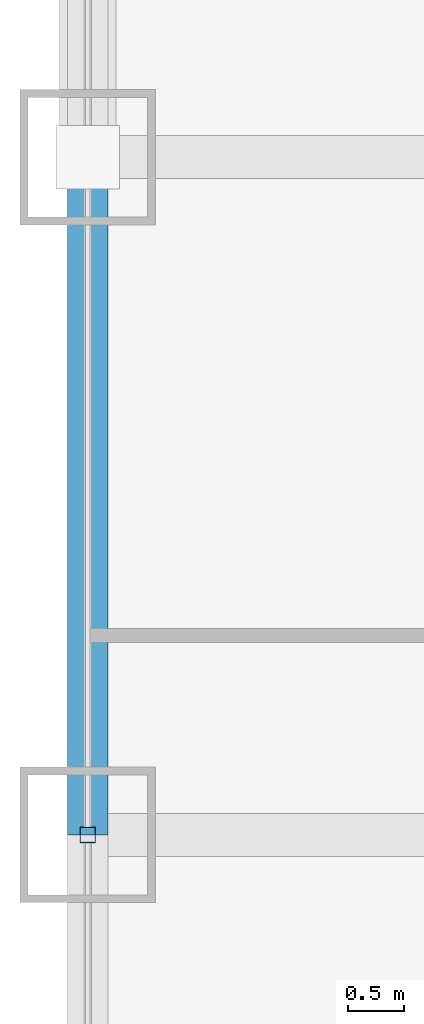
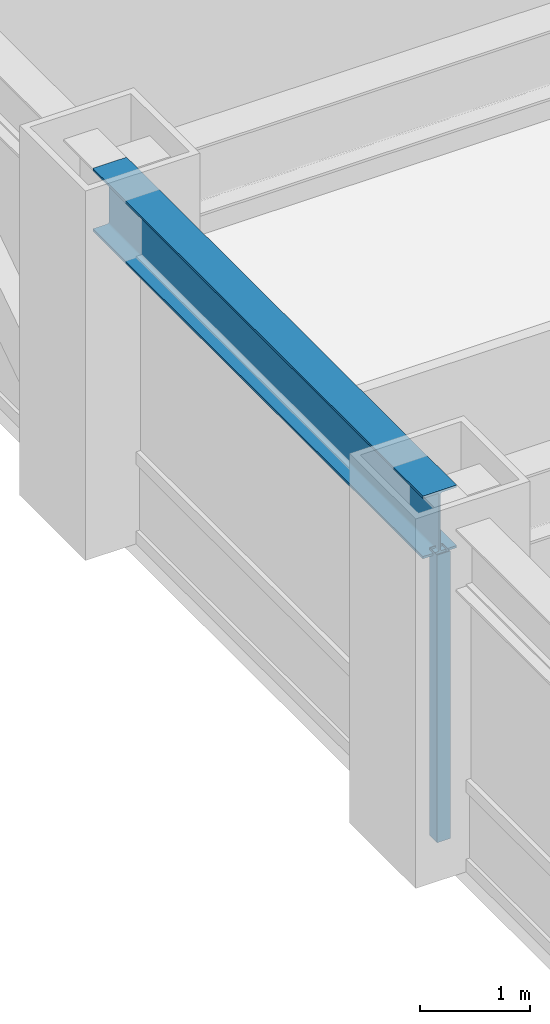
# One storey, part 8 of 32: 1 beam, 1 member, 1 element without a shape of its own.
"""IFC4 building model written with IfcOpenShell, lengths in metres."""

from ifc_helpers import new_model, si_unit, direction, frame, origin, origin_2d, place, context, subcontext, project, spatial, hollow_rectangle, i_section, extrude, source, transform, mapped, material, material_profile, profile_set, type_object, element, aggregate, save


model = new_model("IFC4")

# Units and contexts
model_context = context("Model", 3, precision=1e-05, world=origin(), true_north=direction((0.0, 1.0)))
body_context = subcontext(model_context, "Body", "Model", "MODEL_VIEW")
ifc_project = project(units=[si_unit("LENGTHUNIT", "METRE"), si_unit("AREAUNIT", "SQUARE_METRE"), si_unit("VOLUMEUNIT", "CUBIC_METRE"), si_unit("PLANEANGLEUNIT", "RADIAN"), si_unit("MASSUNIT", "GRAM", prefix="KILO")], contexts=[model_context])

# Site, building, storey
site_placement = place(None, origin())
site = spatial("IfcSite", under=ifc_project, at=site_placement, CompositionType="ELEMENT")
building_placement = place(site_placement, origin())
building = spatial("IfcBuilding", under=site, at=building_placement, Name="Khorayat Bourse Tower", CompositionType="ELEMENT")
storey_placement = place(building_placement, frame((0.0, 0.0, 132.39990234375)))
storey = spatial("IfcBuildingStorey", under=building, at=storey_placement, Name="L30", CompositionType="ELEMENT", Elevation=132.39990234375)

# Beam
ifc_material_1 = material(Name="Steel ASTM A992 Grade 50", Category="steel")
ifc_material_profile_1 = material_profile(ifc_material_1, i_section(OverallWidth=0.35498046875, OverallDepth=0.695068359375, WebThickness=0.015380859375, FlangeThickness=0.02490234375, FilletRadius=0.01806640625, at=origin_2d()), Name="W690X217")
ifc_profile_set_1 = profile_set([ifc_material_profile_1], Name="Steel ASTM A992 Grade 50")
beam_type = type_object("IfcBeamType", Name="BM-SPAN-690", PredefinedType="SPANDREL", material=ifc_profile_set_1)
shared_shape_1 = source(origin(), body_context, "Body", "SweptSolid", [
    extrude(i_section(OverallWidth=0.35498046875, OverallDepth=0.695068359375, WebThickness=0.015380859375, FlangeThickness=0.02490234375, FilletRadius=0.01806640625, at=origin_2d()), origin(), (0.0, 0.0, 1.0), 6.0),
])
beam_placement = place(storey_placement, frame((-32.0, 0.0, 3.49267578125), z_axis=(0.0, 1.0, 0.0), x_axis=(-1.0, 0.0, 0.0)))
element("IfcBeam", 1, at=beam_placement, inside=storey, type_object=beam_type, Name="L30 BM-SPAN-690 BM-L30-SPN-057", PredefinedType="SPANDREL", context=body_context, shape_type="MappedRepresentation", body=[
    mapped(shared_shape_1, transform((0.0, 0.0, 0.0), scale=1.0)),
])

# Curtain wall, member
ifc_material_2 = material(Name="Aluminium EN AW-6063 T6", Category="aluminium")
curtain_wall_type = type_object("IfcCurtainWallType", Name="CW-SYS-02", PredefinedType="NOTDEFINED", material=ifc_material_2)
curtain_wall_placement = place(storey_placement, origin())
curtain_wall = element("IfcCurtainWall", 2, at=curtain_wall_placement, inside=storey, type_object=curtain_wall_type, Name="L30 Curtain Wall CW-L30-W1", PredefinedType="NOTDEFINED")
ifc_material_profile_2 = material_profile(ifc_material_2, hollow_rectangle(XDim=0.139892578125, YDim=0.139892578125, WallThickness=0.006103515625, at=origin_2d()), Name="ALU 140x140x6")
ifc_profile_set_2 = profile_set([ifc_material_profile_2], Name="Aluminium EN AW-6063 T6")
member_type = type_object("IfcMemberType", Name="CWM-VERT-140", PredefinedType="MULLION", material=ifc_profile_set_2)
shared_shape_2 = source(origin(), body_context, "Body", "SweptSolid", [
    extrude(hollow_rectangle(XDim=0.139892578125, YDim=0.139892578125, WallThickness=0.006103515625, at=origin_2d()), origin(), (0.0, 0.0, 1.0), 3.190185546875),
])
member_placement = place(storey_placement, frame((-32.0, 0.0, 0.0), z_axis=(0.0, 0.0, 1.0), x_axis=(-1.0, 0.0, 0.0)))
member = element("IfcMember", 3, at=member_placement, type_object=member_type, Name="CW-L30-W1 Vertical Mullion 2", PredefinedType="MULLION", context=body_context, shape_type="MappedRepresentation", body=[
    mapped(shared_shape_2, transform((0.0, 0.0, 0.0), scale=1.0)),
])
aggregate(curtain_wall, [member])

save(model, "model.ifc")
